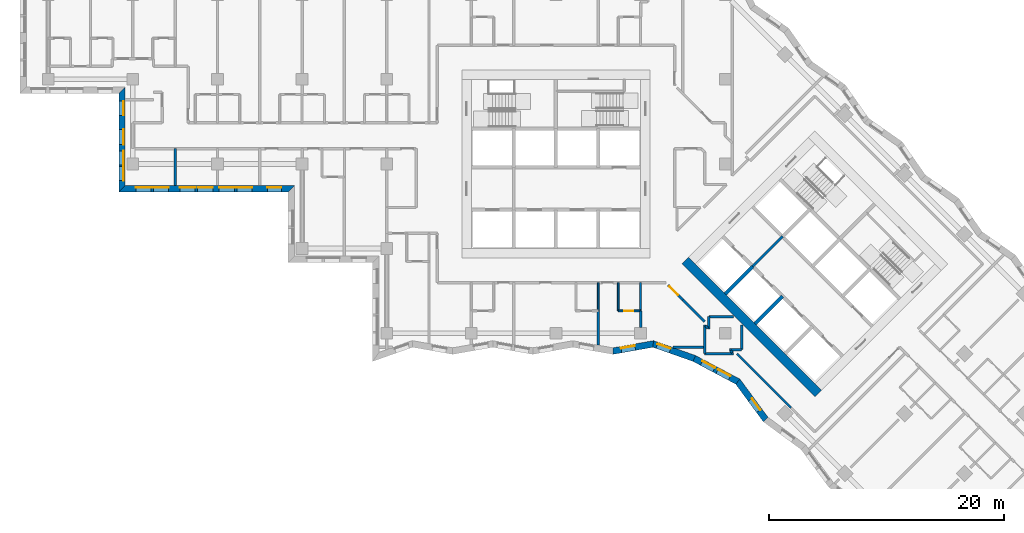
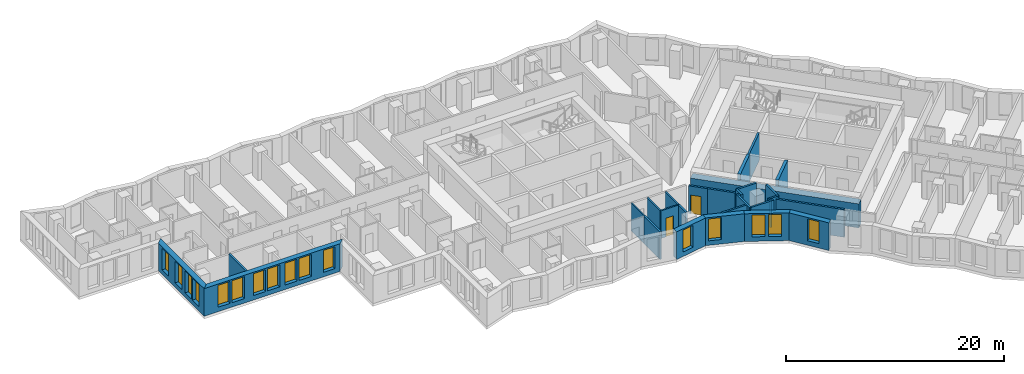
# One storey, part 3 of 13: 29 walls, 16 windows, 2 doors, 18 openings.
"""IFC4 building model written with IfcOpenShell, lengths in metres."""

from ifc_helpers import new_model, si_unit, direction, frame, frame_2d, origin, place, context, subcontext, project, spatial, polyline, rectangle, outline, extrude, material, layer, layer_set, type_object, element, fill, save


model = new_model("IFC4")

# Units and contexts
model_context = context("Model", 3, precision=1e-05, world=origin(), true_north=direction((0.0, 1.0)))
body_context = subcontext(model_context, "Body", "Model", "MODEL_VIEW")
ifc_project = project(units=[si_unit("LENGTHUNIT", "METRE"), si_unit("AREAUNIT", "SQUARE_METRE"), si_unit("VOLUMEUNIT", "CUBIC_METRE"), si_unit("PLANEANGLEUNIT", "RADIAN"), si_unit("MASSUNIT", "GRAM", prefix="KILO")], contexts=[model_context])

# Site, building, storey
site_placement = place(None, origin())
site = spatial("IfcSite", under=ifc_project, at=site_placement, CompositionType="ELEMENT")
building_placement = place(site_placement, origin())
building = spatial("IfcBuilding", under=site, at=building_placement, Name="Windrow Commons", CompositionType="ELEMENT")
storey_placement = place(building_placement, frame((0.0, 0.0, 115.2)))
storey = spatial("IfcBuildingStorey", under=building, at=storey_placement, Name="L31", CompositionType="ELEMENT", Elevation=115.2)

# Wall, openings, windows
ifc_material_1 = material(Name="Brick masonry, red clay brick", Category="masonry")
ifc_layer_1 = layer(ifc_material_1, 0.55)
ifc_layer_set_1 = layer_set([ifc_layer_1], Name="Brick facade wall 550")
wall_type_1 = type_object("IfcWallType", Name="Brick facade wall 550", PredefinedType="SOLIDWALL", material=ifc_layer_set_1)
wall_1_placement = place(storey_placement, frame((27.875, 63.875, 0.0), z_axis=(0.0, 0.0, 1.0), x_axis=(0.0, -1.0, 0.0)))
wall_1 = element("IfcWall", 1, at=wall_1_placement, inside=storey, type_object=wall_type_1, Name="Brick facade wall L31 39", PredefinedType="SOLIDWALL", context=body_context, shape_type="SweptSolid", body=[
    extrude(outline(polyline([(0.275, -0.275), (8.678, -0.275), (8.128, 0.275), (-0.275, 0.275), (0.275, -0.275)])), origin(), (0.0, 0.0, 1.0), 3.1),
])
opening_1_placement = place(wall_1_placement, frame((3.325, 0.0, 0.5)))
opening_1 = element("IfcOpeningElement", 2, at=opening_1_placement, cuts=wall_1, Name="Opening W1P", PredefinedType="OPENING", context=body_context, shape_type="SweptSolid", body=[
    extrude(rectangle(XDim=1.3, YDim=2.45, at=frame_2d((0.65, 1.225))), frame((0.0, 0.285, 0.0), z_axis=(0.0, -1.0, 0.0), x_axis=(1.0, 0.0, 0.0)), (0.0, 0.0, 1.0), 0.57),
])
opening_2_placement = place(wall_1_placement, frame((0.9375, 0.0, 0.5)))
opening_2 = element("IfcOpeningElement", 3, at=opening_2_placement, cuts=wall_1, Name="Opening W7D", PredefinedType="OPENING", context=body_context, shape_type="SweptSolid", body=[
    extrude(rectangle(XDim=1.2, YDim=2.45, at=frame_2d((0.6, 1.225))), frame((0.0, 0.285, 0.0), z_axis=(0.0, -1.0, 0.0), x_axis=(1.0, 0.0, 0.0)), (0.0, 0.0, 1.0), 0.57),
])
opening_3_placement = place(wall_1_placement, frame((6.5015, 0.0, 0.5)))
opening_3 = element("IfcOpeningElement", 4, at=opening_3_placement, cuts=wall_1, Name="Opening W7D", PredefinedType="OPENING", context=body_context, shape_type="SweptSolid", body=[
    extrude(rectangle(XDim=1.2, YDim=2.45, at=frame_2d((0.6, 1.225))), frame((0.0, 0.285, 0.0), z_axis=(0.0, -1.0, 0.0), x_axis=(1.0, 0.0, 0.0)), (0.0, 0.0, 1.0), 0.57),
])
opening_4_placement = place(wall_1_placement, frame((5.1633, 0.0, 0.5)))
opening_4 = element("IfcOpeningElement", 5, at=opening_4_placement, cuts=wall_1, Name="Opening W7D", PredefinedType="OPENING", context=body_context, shape_type="SweptSolid", body=[
    extrude(rectangle(XDim=1.2, YDim=2.45, at=frame_2d((0.6, 1.225))), frame((0.0, 0.285, 0.0), z_axis=(0.0, -1.0, 0.0), x_axis=(1.0, 0.0, 0.0)), (0.0, 0.0, 1.0), 0.57),
])
ifc_material_2 = material(Name="Clear float glass in anodised aluminium frame", Category="aluminium")
window_type_1 = type_object("IfcWindowType", Name="Window W1P pair 1300x2450", PartitioningType="SINGLE_PANEL", PredefinedType="WINDOW", material=ifc_material_2)
window_1_placement = place(opening_1_placement, origin())
window_1 = element("IfcWindow", 6, at=window_1_placement, inside=storey, type_object=window_type_1, Name="Window L31 39.1A", OverallHeight=2.45, OverallWidth=1.3, PartitioningType="SINGLE_PANEL", PredefinedType="WINDOW", context=body_context, shape_type="SweptSolid", body=[
    extrude(rectangle(XDim=1.3, YDim=2.45, at=frame_2d((0.65, 1.225))), frame((0.0, 0.155, 0.0), z_axis=(0.0, -1.0, 0.0), x_axis=(1.0, 0.0, 0.0)), (0.0, 0.0, 1.0), 0.06),
])
fill(opening_1, window_1)
ifc_material_3 = material(Name="Clear float glass in anodised aluminium frame", Category="aluminium")
window_type_2 = type_object("IfcWindowType", Name="Window W7 notch 1200x2450", PartitioningType="SINGLE_PANEL", PredefinedType="WINDOW", material=ifc_material_3)
window_2_placement = place(opening_2_placement, origin())
window_2 = element("IfcWindow", 7, at=window_2_placement, inside=storey, type_object=window_type_2, Name="Window L31 39.2", OverallHeight=2.45, OverallWidth=1.2, PartitioningType="SINGLE_PANEL", PredefinedType="WINDOW", context=body_context, shape_type="SweptSolid", body=[
    extrude(rectangle(XDim=1.2, YDim=2.45, at=frame_2d((0.6, 1.225))), frame((0.0, 0.155, 0.0), z_axis=(0.0, -1.0, 0.0), x_axis=(1.0, 0.0, 0.0)), (0.0, 0.0, 1.0), 0.06),
])
fill(opening_2, window_2)
window_3_placement = place(opening_3_placement, origin())
window_3 = element("IfcWindow", 8, at=window_3_placement, inside=storey, type_object=window_type_2, Name="Window L31 39.3", OverallHeight=2.45, OverallWidth=1.2, PartitioningType="SINGLE_PANEL", PredefinedType="WINDOW", context=body_context, shape_type="SweptSolid", body=[
    extrude(rectangle(XDim=1.2, YDim=2.45, at=frame_2d((0.6, 1.225))), frame((0.0, 0.155, 0.0), z_axis=(0.0, -1.0, 0.0), x_axis=(1.0, 0.0, 0.0)), (0.0, 0.0, 1.0), 0.06),
])
fill(opening_3, window_3)
window_4_placement = place(opening_4_placement, origin())
window_4 = element("IfcWindow", 9, at=window_4_placement, inside=storey, type_object=window_type_2, Name="Window L31 39.1BA", OverallHeight=2.45, OverallWidth=1.2, PartitioningType="SINGLE_PANEL", PredefinedType="WINDOW", context=body_context, shape_type="SweptSolid", body=[
    extrude(rectangle(XDim=1.2, YDim=2.45, at=frame_2d((0.6, 1.225))), frame((0.0, 0.155, 0.0), z_axis=(0.0, -1.0, 0.0), x_axis=(1.0, 0.0, 0.0)), (0.0, 0.0, 1.0), 0.06),
])
fill(opening_4, window_4)

wall_2_placement = place(storey_placement, frame((27.875, 55.472, 0.0), z_axis=(0.0, 0.0, 1.0), x_axis=(1.0, 0.0, 0.0)))
wall_2 = element("IfcWall", 10, at=wall_2_placement, inside=storey, type_object=wall_type_1, Name="Brick facade wall L31 40", PredefinedType="SOLIDWALL", context=body_context, shape_type="SweptSolid", body=[
    extrude(outline(polyline([(-0.275, -0.275), (14.125, -0.275), (14.675, 0.275), (0.275, 0.275), (-0.275, -0.275)])), origin(), (0.0, 0.0, 1.0), 3.1),
])
opening_5_placement = place(wall_2_placement, frame((1.175, 0.0, 0.5)))
opening_5 = element("IfcOpeningElement", 11, at=opening_5_placement, cuts=wall_2, Name="Opening W1P", PredefinedType="OPENING", context=body_context, shape_type="SweptSolid", body=[
    extrude(rectangle(XDim=1.3, YDim=2.45, at=frame_2d((0.65, 1.225))), frame((0.0, 0.285, 0.0), z_axis=(0.0, -1.0, 0.0), x_axis=(1.0, 0.0, 0.0)), (0.0, 0.0, 1.0), 0.57),
])
opening_6_placement = place(wall_2_placement, frame((2.675, 0.0, 0.5)))
opening_6 = element("IfcOpeningElement", 12, at=opening_6_placement, cuts=wall_2, Name="Opening W1P", PredefinedType="OPENING", context=body_context, shape_type="SweptSolid", body=[
    extrude(rectangle(XDim=1.3, YDim=2.45, at=frame_2d((0.65, 1.225))), frame((0.0, 0.285, 0.0), z_axis=(0.0, -1.0, 0.0), x_axis=(1.0, 0.0, 0.0)), (0.0, 0.0, 1.0), 0.57),
])
opening_7_placement = place(wall_2_placement, frame((4.925, 0.0, 0.5)))
opening_7 = element("IfcOpeningElement", 13, at=opening_7_placement, cuts=wall_2, Name="Opening W1P", PredefinedType="OPENING", context=body_context, shape_type="SweptSolid", body=[
    extrude(rectangle(XDim=1.3, YDim=2.45, at=frame_2d((0.65, 1.225))), frame((0.0, 0.285, 0.0), z_axis=(0.0, -1.0, 0.0), x_axis=(1.0, 0.0, 0.0)), (0.0, 0.0, 1.0), 0.57),
])
opening_8_placement = place(wall_2_placement, frame((6.425, 0.0, 0.5)))
opening_8 = element("IfcOpeningElement", 14, at=opening_8_placement, cuts=wall_2, Name="Opening W1P", PredefinedType="OPENING", context=body_context, shape_type="SweptSolid", body=[
    extrude(rectangle(XDim=1.3, YDim=2.45, at=frame_2d((0.65, 1.225))), frame((0.0, 0.285, 0.0), z_axis=(0.0, -1.0, 0.0), x_axis=(1.0, 0.0, 0.0)), (0.0, 0.0, 1.0), 0.57),
])
opening_9_placement = place(wall_2_placement, frame((8.275, 0.0, 0.5)))
opening_9 = element("IfcOpeningElement", 15, at=opening_9_placement, cuts=wall_2, Name="Opening W1P", PredefinedType="OPENING", context=body_context, shape_type="SweptSolid", body=[
    extrude(rectangle(XDim=1.3, YDim=2.45, at=frame_2d((0.65, 1.225))), frame((0.0, 0.285, 0.0), z_axis=(0.0, -1.0, 0.0), x_axis=(1.0, 0.0, 0.0)), (0.0, 0.0, 1.0), 0.57),
])
opening_10_placement = place(wall_2_placement, frame((9.775, 0.0, 0.5)))
opening_10 = element("IfcOpeningElement", 16, at=opening_10_placement, cuts=wall_2, Name="Opening W1P", PredefinedType="OPENING", context=body_context, shape_type="SweptSolid", body=[
    extrude(rectangle(XDim=1.3, YDim=2.45, at=frame_2d((0.65, 1.225))), frame((0.0, 0.285, 0.0), z_axis=(0.0, -1.0, 0.0), x_axis=(1.0, 0.0, 0.0)), (0.0, 0.0, 1.0), 0.57),
])
opening_11_placement = place(wall_2_placement, frame((12.3625, 0.0, 0.5)))
opening_11 = element("IfcOpeningElement", 17, at=opening_11_placement, cuts=wall_2, Name="Opening W7D", PredefinedType="OPENING", context=body_context, shape_type="SweptSolid", body=[
    extrude(rectangle(XDim=1.2, YDim=2.45, at=frame_2d((0.6, 1.225))), frame((0.0, 0.285, 0.0), z_axis=(0.0, -1.0, 0.0), x_axis=(1.0, 0.0, 0.0)), (0.0, 0.0, 1.0), 0.57),
])
window_5_placement = place(opening_5_placement, origin())
window_5 = element("IfcWindow", 18, at=window_5_placement, inside=storey, type_object=window_type_1, Name="Window L31 40.1A", OverallHeight=2.45, OverallWidth=1.3, PartitioningType="SINGLE_PANEL", PredefinedType="WINDOW", context=body_context, shape_type="SweptSolid", body=[
    extrude(rectangle(XDim=1.3, YDim=2.45, at=frame_2d((0.65, 1.225))), frame((0.0, 0.155, 0.0), z_axis=(0.0, -1.0, 0.0), x_axis=(1.0, 0.0, 0.0)), (0.0, 0.0, 1.0), 0.06),
])
fill(opening_5, window_5)
window_6_placement = place(opening_6_placement, origin())
window_6 = element("IfcWindow", 19, at=window_6_placement, inside=storey, type_object=window_type_1, Name="Window L31 40.1B", OverallHeight=2.45, OverallWidth=1.3, PartitioningType="SINGLE_PANEL", PredefinedType="WINDOW", context=body_context, shape_type="SweptSolid", body=[
    extrude(rectangle(XDim=1.3, YDim=2.45, at=frame_2d((0.65, 1.225))), frame((0.0, 0.155, 0.0), z_axis=(0.0, -1.0, 0.0), x_axis=(1.0, 0.0, 0.0)), (0.0, 0.0, 1.0), 0.06),
])
fill(opening_6, window_6)
window_7_placement = place(opening_7_placement, origin())
window_7 = element("IfcWindow", 20, at=window_7_placement, inside=storey, type_object=window_type_1, Name="Window L31 40.2A", OverallHeight=2.45, OverallWidth=1.3, PartitioningType="SINGLE_PANEL", PredefinedType="WINDOW", context=body_context, shape_type="SweptSolid", body=[
    extrude(rectangle(XDim=1.3, YDim=2.45, at=frame_2d((0.65, 1.225))), frame((0.0, 0.155, 0.0), z_axis=(0.0, -1.0, 0.0), x_axis=(1.0, 0.0, 0.0)), (0.0, 0.0, 1.0), 0.06),
])
fill(opening_7, window_7)
window_8_placement = place(opening_8_placement, origin())
window_8 = element("IfcWindow", 21, at=window_8_placement, inside=storey, type_object=window_type_1, Name="Window L31 40.2B", OverallHeight=2.45, OverallWidth=1.3, PartitioningType="SINGLE_PANEL", PredefinedType="WINDOW", context=body_context, shape_type="SweptSolid", body=[
    extrude(rectangle(XDim=1.3, YDim=2.45, at=frame_2d((0.65, 1.225))), frame((0.0, 0.155, 0.0), z_axis=(0.0, -1.0, 0.0), x_axis=(1.0, 0.0, 0.0)), (0.0, 0.0, 1.0), 0.06),
])
fill(opening_8, window_8)
window_9_placement = place(opening_9_placement, origin())
window_9 = element("IfcWindow", 22, at=window_9_placement, inside=storey, type_object=window_type_1, Name="Window L31 40.3A", OverallHeight=2.45, OverallWidth=1.3, PartitioningType="SINGLE_PANEL", PredefinedType="WINDOW", context=body_context, shape_type="SweptSolid", body=[
    extrude(rectangle(XDim=1.3, YDim=2.45, at=frame_2d((0.65, 1.225))), frame((0.0, 0.155, 0.0), z_axis=(0.0, -1.0, 0.0), x_axis=(1.0, 0.0, 0.0)), (0.0, 0.0, 1.0), 0.06),
])
fill(opening_9, window_9)
window_10_placement = place(opening_10_placement, origin())
window_10 = element("IfcWindow", 23, at=window_10_placement, inside=storey, type_object=window_type_1, Name="Window L31 40.3B", OverallHeight=2.45, OverallWidth=1.3, PartitioningType="SINGLE_PANEL", PredefinedType="WINDOW", context=body_context, shape_type="SweptSolid", body=[
    extrude(rectangle(XDim=1.3, YDim=2.45, at=frame_2d((0.65, 1.225))), frame((0.0, 0.155, 0.0), z_axis=(0.0, -1.0, 0.0), x_axis=(1.0, 0.0, 0.0)), (0.0, 0.0, 1.0), 0.06),
])
fill(opening_10, window_10)
window_11_placement = place(opening_11_placement, origin())
window_11 = element("IfcWindow", 24, at=window_11_placement, inside=storey, type_object=window_type_2, Name="Window L31 40.4", OverallHeight=2.45, OverallWidth=1.2, PartitioningType="SINGLE_PANEL", PredefinedType="WINDOW", context=body_context, shape_type="SweptSolid", body=[
    extrude(rectangle(XDim=1.2, YDim=2.45, at=frame_2d((0.6, 1.225))), frame((0.0, 0.155, 0.0), z_axis=(0.0, -1.0, 0.0), x_axis=(1.0, 0.0, 0.0)), (0.0, 0.0, 1.0), 0.06),
])
fill(opening_11, window_11)

# Wall, opening, window
wall_3_placement = place(storey_placement, frame((69.6432, 41.6763, 0.0), z_axis=(0.0, 0.0, 1.0), x_axis=(0.9846990638, 0.1742634606, 0.0)))
wall_3 = element("IfcWall", 25, at=wall_3_placement, inside=storey, type_object=wall_type_1, Name="Brick facade wall L31 50", PredefinedType="SOLIDWALL", context=body_context, shape_type="SweptSolid", body=[
    extrude(outline(polyline([(-0.0487, -0.275), (3.4115, -0.275), (3.5562, 0.275), (0.0487, 0.275), (-0.0487, -0.275)])), origin(), (0.0, 0.0, 1.0), 3.1),
])
opening_12_placement = place(wall_3_placement, frame((0.721, 0.0, 0.5)))
opening_12 = element("IfcOpeningElement", 26, at=opening_12_placement, cuts=wall_3, Name="Opening W7D", PredefinedType="OPENING", context=body_context, shape_type="SweptSolid", body=[
    extrude(rectangle(XDim=1.2, YDim=2.45, at=frame_2d((0.6, 1.225))), frame((0.0, 0.285, 0.0), z_axis=(0.0, -1.0, 0.0), x_axis=(1.0, 0.0, 0.0)), (0.0, 0.0, 1.0), 0.57),
])
window_12_placement = place(opening_12_placement, origin())
window_12 = element("IfcWindow", 27, at=window_12_placement, inside=storey, type_object=window_type_2, Name="Window L31 50.1", OverallHeight=2.45, OverallWidth=1.2, PartitioningType="SINGLE_PANEL", PredefinedType="WINDOW", context=body_context, shape_type="SweptSolid", body=[
    extrude(rectangle(XDim=1.2, YDim=2.45, at=frame_2d((0.6, 1.225))), frame((0.0, 0.155, 0.0), z_axis=(0.0, -1.0, 0.0), x_axis=(1.0, 0.0, 0.0)), (0.0, 0.0, 1.0), 0.06),
])
fill(opening_12, window_12)

wall_4_placement = place(storey_placement, frame((73.0737, 42.2834, 0.0), z_axis=(0.0, 0.0, 1.0), x_axis=(0.9429529685, -0.3329259665, 0.0)))
wall_4 = element("IfcWall", 28, at=wall_4_placement, inside=storey, type_object=wall_type_1, Name="Brick facade wall L31 51", PredefinedType="SOLIDWALL", context=body_context, shape_type="SweptSolid", body=[
    extrude(outline(polyline([(0.0724, -0.275), (3.6857, -0.275), (3.7268, 0.275), (-0.0724, 0.275), (0.0724, -0.275)])), origin(), (0.0, 0.0, 1.0), 3.1),
])
opening_13_placement = place(wall_4_placement, frame((0.3396, 0.0, 0.5)))
opening_13 = element("IfcOpeningElement", 29, at=opening_13_placement, cuts=wall_4, Name="Opening W7D", PredefinedType="OPENING", context=body_context, shape_type="SweptSolid", body=[
    extrude(rectangle(XDim=1.2, YDim=2.45, at=frame_2d((0.6, 1.225))), frame((0.0, 0.285, 0.0), z_axis=(0.0, -1.0, 0.0), x_axis=(1.0, 0.0, 0.0)), (0.0, 0.0, 1.0), 0.57),
])
window_13_placement = place(opening_13_placement, origin())
window_13 = element("IfcWindow", 30, at=window_13_placement, inside=storey, type_object=window_type_2, Name="Window L31 51.1", OverallHeight=2.45, OverallWidth=1.2, PartitioningType="SINGLE_PANEL", PredefinedType="WINDOW", context=body_context, shape_type="SweptSolid", body=[
    extrude(rectangle(XDim=1.2, YDim=2.45, at=frame_2d((0.6, 1.225))), frame((0.0, 0.155, 0.0), z_axis=(0.0, -1.0, 0.0), x_axis=(1.0, 0.0, 0.0)), (0.0, 0.0, 1.0), 0.06),
])
fill(opening_13, window_13)

# Wall, openings, windows
wall_5_placement = place(storey_placement, frame((76.5685, 41.0495, 0.0), z_axis=(0.0, 0.0, 1.0), x_axis=(0.882964841, -0.4694391223, 0.0)))
wall_5 = element("IfcWall", 31, at=wall_5_placement, inside=storey, type_object=wall_type_1, Name="Brick facade wall L31 52", PredefinedType="SOLIDWALL", context=body_context, shape_type="SweptSolid", body=[
    extrude(outline(polyline([(0.0206, -0.275), (4.1348, -0.275), (4.2603, 0.275), (-0.0206, 0.275), (0.0206, -0.275)])), origin(), (0.0, 0.0, 1.0), 3.1),
])
opening_14_placement = place(wall_5_placement, frame((0.7237, 0.0, 0.5)))
opening_14 = element("IfcOpeningElement", 32, at=opening_14_placement, cuts=wall_5, Name="Opening W7D", PredefinedType="OPENING", context=body_context, shape_type="SweptSolid", body=[
    extrude(rectangle(XDim=1.2, YDim=2.45, at=frame_2d((0.6, 1.225))), frame((0.0, 0.285, 0.0), z_axis=(0.0, -1.0, 0.0), x_axis=(1.0, 0.0, 0.0)), (0.0, 0.0, 1.0), 0.57),
])
opening_15_placement = place(wall_5_placement, frame((2.2225, 0.0, 0.5)))
opening_15 = element("IfcOpeningElement", 33, at=opening_15_placement, cuts=wall_5, Name="Opening W7D", PredefinedType="OPENING", context=body_context, shape_type="SweptSolid", body=[
    extrude(rectangle(XDim=1.2, YDim=2.45, at=frame_2d((0.6, 1.225))), frame((0.0, 0.285, 0.0), z_axis=(0.0, -1.0, 0.0), x_axis=(1.0, 0.0, 0.0)), (0.0, 0.0, 1.0), 0.57),
])
window_14_placement = place(opening_14_placement, origin())
window_14 = element("IfcWindow", 34, at=window_14_placement, inside=storey, type_object=window_type_2, Name="Window L31 52.1", OverallHeight=2.45, OverallWidth=1.2, PartitioningType="SINGLE_PANEL", PredefinedType="WINDOW", context=body_context, shape_type="SweptSolid", body=[
    extrude(rectangle(XDim=1.2, YDim=2.45, at=frame_2d((0.6, 1.225))), frame((0.0, 0.155, 0.0), z_axis=(0.0, -1.0, 0.0), x_axis=(1.0, 0.0, 0.0)), (0.0, 0.0, 1.0), 0.06),
])
fill(opening_14, window_14)
window_15_placement = place(opening_15_placement, origin())
window_15 = element("IfcWindow", 35, at=window_15_placement, inside=storey, type_object=window_type_2, Name="Window L31 52.2", OverallHeight=2.45, OverallWidth=1.2, PartitioningType="SINGLE_PANEL", PredefinedType="WINDOW", context=body_context, shape_type="SweptSolid", body=[
    extrude(rectangle(XDim=1.2, YDim=2.45, at=frame_2d((0.6, 1.225))), frame((0.0, 0.155, 0.0), z_axis=(0.0, -1.0, 0.0), x_axis=(1.0, 0.0, 0.0)), (0.0, 0.0, 1.0), 0.06),
])
fill(opening_15, window_15)

# Wall, opening, window
wall_6_placement = place(storey_placement, frame((80.2748, 39.079, 0.0), z_axis=(0.0, 0.0, 1.0), x_axis=(0.5918229872, -0.8060679573, 0.0)))
wall_6 = element("IfcWall", 36, at=wall_6_placement, inside=storey, type_object=wall_type_1, Name="Brick facade wall L31 53", PredefinedType="SOLIDWALL", context=body_context, shape_type="SweptSolid", body=[
    extrude(outline(polyline([(0.0628, -0.275), (4.0431, -0.275), (3.9588, 0.275), (-0.0628, 0.275), (0.0628, -0.275)])), origin(), (0.0, 0.0, 1.0), 3.1),
])
opening_16_placement = place(wall_6_placement, frame((1.8668, 0.0, 0.5)))
opening_16 = element("IfcOpeningElement", 37, at=opening_16_placement, cuts=wall_6, Name="Opening W7D", PredefinedType="OPENING", context=body_context, shape_type="SweptSolid", body=[
    extrude(rectangle(XDim=1.2, YDim=2.45, at=frame_2d((0.6, 1.225))), frame((0.0, 0.285, 0.0), z_axis=(0.0, -1.0, 0.0), x_axis=(1.0, 0.0, 0.0)), (0.0, 0.0, 1.0), 0.57),
])
window_16_placement = place(opening_16_placement, origin())
window_16 = element("IfcWindow", 38, at=window_16_placement, inside=storey, type_object=window_type_2, Name="Window L31 53.1", OverallHeight=2.45, OverallWidth=1.2, PartitioningType="SINGLE_PANEL", PredefinedType="WINDOW", context=body_context, shape_type="SweptSolid", body=[
    extrude(rectangle(XDim=1.2, YDim=2.45, at=frame_2d((0.6, 1.225))), frame((0.0, 0.155, 0.0), z_axis=(0.0, -1.0, 0.0), x_axis=(1.0, 0.0, 0.0)), (0.0, 0.0, 1.0), 0.06),
])
fill(opening_16, window_16)

# Walls
ifc_material_4 = material(Name="Blockwork partition", Category="masonry")
ifc_layer_2 = layer(ifc_material_4, 0.2)
ifc_layer_set_2 = layer_set([ifc_layer_2], Name="Fire lobby partition 200")
wall_type_2 = type_object("IfcWallType", Name="Fire lobby partition 200", PredefinedType="PARTITIONING", material=ifc_layer_set_2)
wall_7_placement = place(storey_placement, frame((81.5335, 48.8776, 0.0), z_axis=(0.0, 0.0, 1.0), x_axis=(0.707092892, 0.7071206701, 0.0)))
element("IfcWall", 39, at=wall_7_placement, inside=storey, type_object=wall_type_2, Name="W-core-lobby-B-L31", PredefinedType="PARTITIONING", context=body_context, shape_type="SweptSolid", body=[
    extrude(rectangle(XDim=3.6, YDim=0.2, at=frame_2d((1.8, 0.0))), origin(), (0.0, 0.0, 1.0), 3.1),
])
ifc_material_5 = material(Name="Blockwork partition", Category="masonry")
ifc_layer_3 = layer(ifc_material_5, 0.2)
ifc_layer_set_3 = layer_set([ifc_layer_3], Name="IW-CORRIDOR-200")
wall_type_3 = type_object("IfcWallType", Name="IW-CORRIDOR-200", PredefinedType="PARTITIONING", material=ifc_layer_set_3)
wall_8_placement = place(storey_placement, frame((80.1973, 41.4533, 0.0), z_axis=(0.0, 0.0, 1.0), x_axis=(0.7071067812, -0.7071067812, 0.0)))
element("IfcWall", 40, at=wall_8_placement, inside=storey, type_object=wall_type_3, Name="W-L31-W026", PredefinedType="PARTITIONING", context=body_context, shape_type="SweptSolid", body=[
    extrude(rectangle(XDim=6.4884, YDim=0.2, at=frame_2d((3.2442, 0.0))), origin(), (0.0, 0.0, 1.0), 3.1),
])
wall_9_placement = place(storey_placement, frame((75.5982, 46.0402, 0.0), z_axis=(0.0, 0.0, 1.0), x_axis=(0.7074891043, -0.7067242512, 0.0)))
element("IfcWall", 41, at=wall_9_placement, inside=storey, type_object=wall_type_3, Name="W-L31-W079", PredefinedType="PARTITIONING", context=body_context, shape_type="SweptSolid", body=[
    extrude(rectangle(XDim=2.6149, YDim=0.2, at=frame_2d((1.3075, 0.0))), origin(), (0.0, 0.0, 1.0), 3.1),
])
for number, where, z_axis, x_axis, name in (
    (42, (77.802, 44.6, 0.0), (0.0, 0.0, 1.0), (1.0, 0.0, 0.0), "W-L31-W133"),
    (43, (80.6, 41.802, 0.0), (0.0, 0.0, 1.0), (0.0, 1.0, 0.0), "W-L31-W134"),
):
    element("IfcWall", number, at=place(storey_placement, frame(where, z_axis=z_axis, x_axis=x_axis)), inside=storey, type_object=wall_type_3, Name=name, PredefinedType="PARTITIONING", context=body_context, shape_type="SweptSolid", body=[
        extrude(rectangle(XDim=2.098, YDim=0.2, at=frame_2d((1.049, 0.0))), origin(), (0.0, 0.0, 1.0), 3.1),
    ])

# Wall, opening, door
wall_10_placement = place(storey_placement, frame((74.3393, 47.2973, 0.0), z_axis=(0.0, 0.0, 1.0), x_axis=(0.7071067812, -0.7071067812, 0.0)))
wall_10 = element("IfcWall", 44, at=wall_10_placement, inside=storey, type_object=wall_type_3, Name="W-L31-W156", PredefinedType="PARTITIONING", context=body_context, shape_type="SweptSolid", body=[
    extrude(rectangle(XDim=1.7791, YDim=0.2, at=frame_2d((0.8895, 0.0))), origin(), (0.0, 0.0, 1.0), 3.1),
])
opening_17_placement = place(wall_10_placement, frame((0.1857, 0.0, 0.0)))
opening_17 = element("IfcOpeningElement", 45, at=opening_17_placement, cuts=wall_10, Name="Opening D310F", PredefinedType="OPENING", context=body_context, shape_type="SweptSolid", body=[
    extrude(rectangle(XDim=1.0, YDim=2.1, at=frame_2d((0.5, 1.05))), frame((0.0, 0.11, 0.0), z_axis=(0.0, -1.0, 0.0), x_axis=(1.0, 0.0, 0.0)), (0.0, 0.0, 1.0), 0.22),
])
ifc_material_6 = material(Name="Timber door leaf", Category="wood")
door_type_1 = type_object("IfcDoorType", Name="DT-AMENITY-1000", OperationType="SINGLE_SWING_LEFT", PredefinedType="DOOR", material=ifc_material_6)
door_1_placement = place(opening_17_placement, origin())
door_1 = element("IfcDoor", 46, at=door_1_placement, inside=storey, type_object=door_type_1, Name="D-L31-D018", OperationType="SINGLE_SWING_LEFT", OverallHeight=2.1, OverallWidth=1.0, PredefinedType="DOOR", context=body_context, shape_type="SweptSolid", body=[
    extrude(rectangle(XDim=1.0, YDim=2.1, at=frame_2d((0.5, 1.05))), frame((0.0, 0.025, 0.0), z_axis=(0.0, -1.0, 0.0), x_axis=(1.0, 0.0, 0.0)), (0.0, 0.0, 1.0), 0.05),
])
fill(opening_17, door_1)

# Walls
for number, where, z_axis, x_axis, name in (
    (47, (77.8, 43.56, 0.0), (0.0, 0.0, 1.0), (0.0, 1.0, 0.0), "W-L31-W169"),
    (48, (79.56, 41.8, 0.0), (0.0, 0.0, 1.0), (1.0, 0.0, 0.0), "W-L31-W170"),
):
    element("IfcWall", number, at=place(storey_placement, frame(where, z_axis=z_axis, x_axis=x_axis)), inside=storey, type_object=wall_type_3, Name=name, PredefinedType="PARTITIONING", context=body_context, shape_type="SweptSolid", body=[
        extrude(rectangle(XDim=1.04, YDim=0.2, at=frame_2d((0.52, 0.0))), origin(), (0.0, 0.0, 1.0), 3.1),
    ])
for number, where, z_axis, x_axis, name in (
    (49, (79.6488, 41.7049, 0.0), (0.0, 0.0, 1.0), (0.7068844555, -0.707329037, 0.0), "W-L31-W206"),
    (50, (77.5458, 43.8078, 0.0), (0.0, 0.0, 1.0), (0.707329037, -0.7068844555, 0.0), "W-L31-W207"),
):
    element("IfcWall", number, at=place(storey_placement, frame(where, z_axis=z_axis, x_axis=x_axis)), inside=storey, type_object=wall_type_3, Name=name, PredefinedType="PARTITIONING", context=body_context, shape_type="SweptSolid", body=[
        extrude(rectangle(XDim=0.2249, YDim=0.2, at=frame_2d((0.1124, 0.0))), origin(), (0.0, 0.0, 1.0), 3.1),
    ])
ifc_material_7 = material(Name="Blockwork partition", Category="masonry")
ifc_layer_4 = layer(ifc_material_7, 0.15)
ifc_layer_set_4 = layer_set([ifc_layer_4], Name="IW-ENSUITE-150")
wall_type_4 = type_object("IfcWallType", Name="IW-ENSUITE-150", PredefinedType="PARTITIONING", material=ifc_layer_set_4)
for number, where, z_axis, x_axis, name in (
    (51, (68.4, 45.1, 0.0), (0.0, 0.0, 1.0), (0.0, 1.0, 0.0), "W-L31-W102"),
    (52, (70.1, 45.1, 0.0), (0.0, 0.0, 1.0), (0.0, 1.0, 0.0), "W-L31-W103"),
    (53, (72.0, 45.1, 0.0), (0.0, 0.0, 1.0), (0.0, 1.0, 0.0), "W-L31-W104"),
):
    element("IfcWall", number, at=place(storey_placement, frame(where, z_axis=z_axis, x_axis=x_axis)), inside=storey, type_object=wall_type_4, Name=name, PredefinedType="PARTITIONING", context=body_context, shape_type="SweptSolid", body=[
        extrude(rectangle(XDim=2.4, YDim=0.15, at=frame_2d((1.2, 0.0))), origin(), (0.0, 0.0, 1.0), 3.1),
    ])

# Wall, opening, door
wall_11_placement = place(storey_placement, frame((70.1, 45.1, 0.0), z_axis=(0.0, 0.0, 1.0), x_axis=(1.0, 0.0, 0.0)))
wall_11 = element("IfcWall", 54, at=wall_11_placement, inside=storey, type_object=wall_type_4, Name="W-L31-W141", PredefinedType="PARTITIONING", context=body_context, shape_type="SweptSolid", body=[
    extrude(rectangle(XDim=1.9, YDim=0.15, at=frame_2d((0.95, 0.0))), origin(), (0.0, 0.0, 1.0), 3.1),
])
opening_18_placement = place(wall_11_placement, frame((0.4931, 0.0, 0.0)))
opening_18 = element("IfcOpeningElement", 55, at=opening_18_placement, cuts=wall_11, Name="Opening D208N", PredefinedType="OPENING", context=body_context, shape_type="SweptSolid", body=[
    extrude(rectangle(XDim=0.8, YDim=2.1, at=frame_2d((0.4, 1.05))), frame((0.0, 0.085, 0.0), z_axis=(0.0, -1.0, 0.0), x_axis=(1.0, 0.0, 0.0)), (0.0, 0.0, 1.0), 0.17),
])
ifc_material_8 = material(Name="Timber door leaf", Category="wood")
door_type_2 = type_object("IfcDoorType", Name="DT-ENSUITE-800", OperationType="SINGLE_SWING_LEFT", PredefinedType="DOOR", material=ifc_material_8)
door_2_placement = place(opening_18_placement, origin())
door_2 = element("IfcDoor", 56, at=door_2_placement, inside=storey, type_object=door_type_2, Name="D-L31-D017", OperationType="SINGLE_SWING_RIGHT", OverallHeight=2.1, OverallWidth=0.8, PredefinedType="DOOR", context=body_context, shape_type="SweptSolid", body=[
    extrude(rectangle(XDim=0.8, YDim=2.1, at=frame_2d((0.4, 1.05))), frame((0.0, 0.025, 0.0), z_axis=(0.0, -1.0, 0.0), x_axis=(1.0, 0.0, 0.0)), (0.0, 0.0, 1.0), 0.05),
])
fill(opening_18, door_2)

# Walls
ifc_material_9 = material(Name="Blockwork partition", Category="masonry")
ifc_layer_5 = layer(ifc_material_9, 0.2)
ifc_layer_set_5 = layer_set([ifc_layer_5], Name="IW-PARTY-200")
wall_type_5 = type_object("IfcWallType", Name="IW-PARTY-200", PredefinedType="PARTITIONING", material=ifc_layer_set_5)
wall_12_placement = place(storey_placement, frame((32.4, 55.747, 0.0), z_axis=(0.0, 0.0, 1.0), x_axis=(0.0, 1.0, 0.0)))
element("IfcWall", 57, at=wall_12_placement, inside=storey, type_object=wall_type_5, Name="W-L31-W060", PredefinedType="PARTITIONING", context=body_context, shape_type="SweptSolid", body=[
    extrude(rectangle(XDim=3.153, YDim=0.2, at=frame_2d((1.5765, 0.0))), origin(), (0.0, 0.0, 1.0), 3.1),
])
wall_13_placement = place(storey_placement, frame((68.4, 42.1756, 0.0), z_axis=(0.0, 0.0, 1.0), x_axis=(0.0, 1.0, 0.0)))
element("IfcWall", 58, at=wall_13_placement, inside=storey, type_object=wall_type_5, Name="W-L31-W073", PredefinedType="PARTITIONING", context=body_context, shape_type="SweptSolid", body=[
    extrude(rectangle(XDim=2.9244, YDim=0.2, at=frame_2d((1.4622, 0.0))), origin(), (0.0, 0.0, 1.0), 3.1),
])
wall_14_placement = place(storey_placement, frame((74.7524, 42.0, 0.0), z_axis=(0.0, 0.0, 1.0), x_axis=(1.0, 0.0, 0.0)))
element("IfcWall", 59, at=wall_14_placement, inside=storey, type_object=wall_type_5, Name="W-L31-W078", PredefinedType="PARTITIONING", context=body_context, shape_type="SweptSolid", body=[
    extrude(rectangle(XDim=2.6976, YDim=0.2, at=frame_2d((1.3488, 0.0))), origin(), (0.0, 0.0, 1.0), 3.1),
])
for number, where, z_axis, x_axis, name in (
    (60, (77.45, 41.452, 0.0), (0.0, 0.0, 1.0), (0.0, 1.0, 0.0), "W-L31-W083"),
    (61, (77.452, 41.45, 0.0), (0.0, 0.0, 1.0), (1.0, 0.0, 0.0), "W-L31-W084"),
):
    element("IfcWall", number, at=place(storey_placement, frame(where, z_axis=z_axis, x_axis=x_axis)), inside=storey, type_object=wall_type_5, Name=name, PredefinedType="PARTITIONING", context=body_context, shape_type="SweptSolid", body=[
        extrude(rectangle(XDim=2.458, YDim=0.2, at=frame_2d((1.229, 0.0))), origin(), (0.0, 0.0, 1.0), 3.1),
    ])
wall_15_placement = place(storey_placement, frame((72.0, 43.7, 0.0), z_axis=(0.0, 0.0, 1.0), x_axis=(0.0, 1.0, 0.0)))
element("IfcWall", 62, at=wall_15_placement, inside=storey, type_object=wall_type_5, Name="W-L31-W162", PredefinedType="PARTITIONING", context=body_context, shape_type="SweptSolid", body=[
    extrude(rectangle(XDim=1.4, YDim=0.2, at=frame_2d((0.7, 0.0))), origin(), (0.0, 0.0, 1.0), 3.1),
])
ifc_material_10 = material(Name="Concrete C50/60", Category="concrete")
ifc_layer_6 = layer(ifc_material_10, 0.8)
ifc_layer_set_6 = layer_set([ifc_layer_6], Name="RC CORE WALL 800 C50/60")
wall_type_6 = type_object("IfcWallType", Name="RC CORE WALL 800 C50/60", PredefinedType="SHEAR", material=ifc_layer_set_6)
wall_16_placement = place(storey_placement, frame((75.8059, 49.3726, -0.3), z_axis=(0.0, 0.0, 1.0), x_axis=(0.7071067812, -0.7071067812, 0.0)))
element("IfcWall", 63, at=wall_16_placement, inside=storey, type_object=wall_type_6, Name="Core B wall outer-S", PredefinedType="SHEAR", context=body_context, shape_type="SweptSolid", body=[
    extrude(rectangle(XDim=16.0, YDim=0.8, at=frame_2d((8.0, 0.0))), origin(), (0.0, 0.0, 1.0), 2.7),
])
ifc_material_11 = material(Name="Concrete C50/60", Category="concrete")
ifc_layer_7 = layer(ifc_material_11, 0.3)
ifc_layer_set_7 = layer_set([ifc_layer_7], Name="RC SHAFT WALL 300 C50/60")
wall_type_7 = type_object("IfcWallType", Name="RC SHAFT WALL 300 C50/60", PredefinedType="SOLIDWALL", material=ifc_layer_set_7)
wall_17_placement = place(storey_placement, frame((79.2, 46.5442, 0.0), z_axis=(0.0, 0.0, 1.0), x_axis=(0.7071219326, 0.7070916295, 0.0)))
element("IfcWall", 64, at=wall_17_placement, inside=storey, type_object=wall_type_7, Name="Core B wall shaft-S1", PredefinedType="SOLIDWALL", context=body_context, shape_type="SweptSolid", body=[
    extrude(rectangle(XDim=3.3, YDim=0.3, at=frame_2d((1.65, 0.0))), origin(), (0.0, 0.0, 1.0), 3.1),
])
wall_18_placement = place(storey_placement, frame((81.7456, 43.9986, 0.0), z_axis=(0.0, 0.0, 1.0), x_axis=(0.7071067812, 0.7071067812, 0.0)))
element("IfcWall", 65, at=wall_18_placement, inside=storey, type_object=wall_type_7, Name="Core B wall shaft-S2", PredefinedType="SOLIDWALL", context=body_context, shape_type="SweptSolid", body=[
    extrude(rectangle(XDim=3.2999, YDim=0.3, at=frame_2d((1.65, 0.0))), origin(), (0.0, 0.0, 1.0), 3.1),
])

save(model, "model.ifc")
